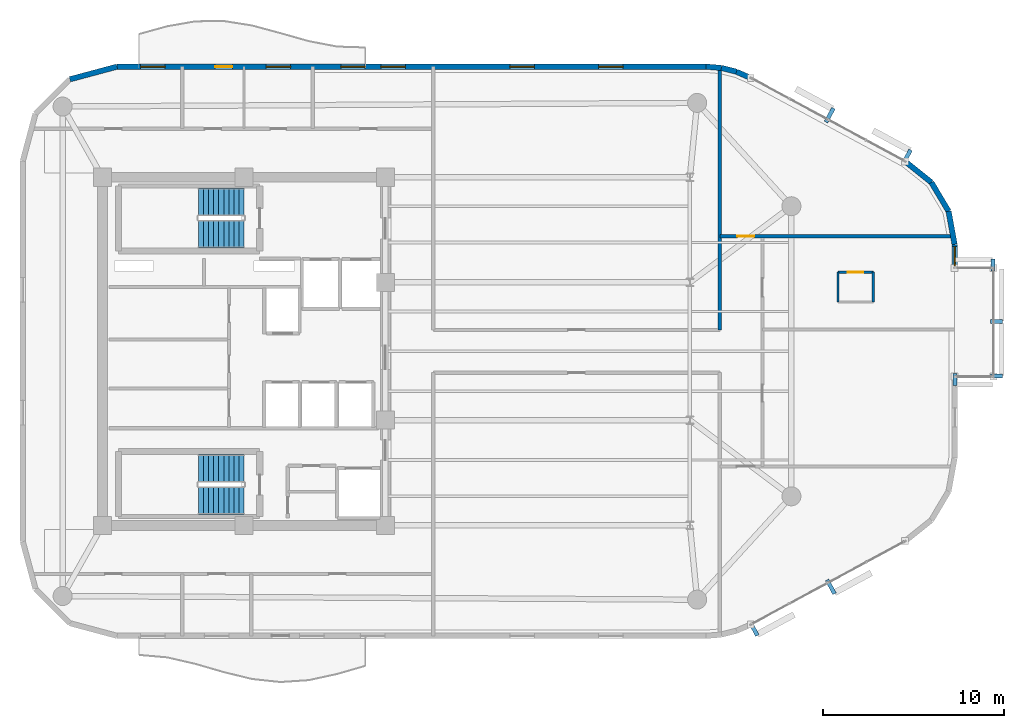
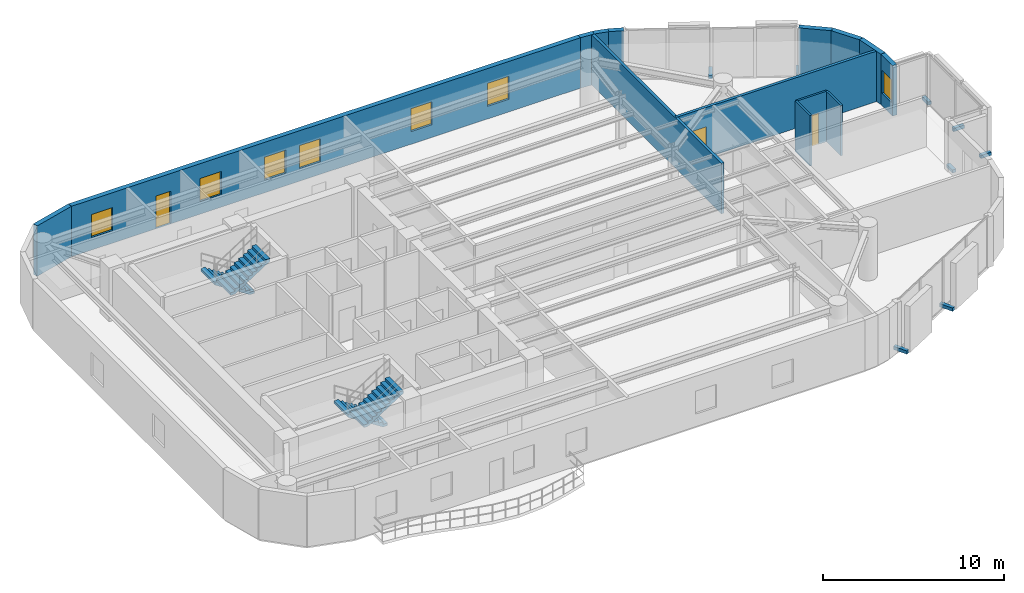
# One storey, part 12 of 14: 14 walls, 8 discrete accessories, 7 windows, 4 stair flights, 3 doors, 10 openings, 2 elements without a shape of their own.
"""IFC4 building model written with IfcOpenShell, lengths in metres."""

from ifc_helpers import new_model, si_unit, direction, frame, frame_2d, origin, origin_2d, place, context, subcontext, project, spatial, polyline, rectangle, outline, extrude, material, layer, layer_set, type_object, element, fill, aggregate, save


model = new_model("IFC4")

# Units and contexts
model_context = context("Model", 3, precision=1e-05, world=origin(), true_north=direction((0.0, 1.0)))
body_context = subcontext(model_context, "Body", "Model", "MODEL_VIEW")
ifc_project = project(units=[si_unit("LENGTHUNIT", "METRE"), si_unit("AREAUNIT", "SQUARE_METRE"), si_unit("VOLUMEUNIT", "CUBIC_METRE"), si_unit("PLANEANGLEUNIT", "RADIAN"), si_unit("MASSUNIT", "GRAM", prefix="KILO")], contexts=[model_context])

# Site, building, storey
site_placement = place(None, origin())
site = spatial("IfcSite", under=ifc_project, at=site_placement, CompositionType="ELEMENT")
building_placement = place(site_placement, origin())
building = spatial("IfcBuilding", under=site, at=building_placement, Name="An Khanh Terracotta Commons", CompositionType="ELEMENT")
storey_placement = place(building_placement, frame((0.0, 0.0, 230.10009765625)))
storey = spatial("IfcBuildingStorey", under=building, at=storey_placement, Name="L60", CompositionType="ELEMENT", Elevation=230.10009765625)

# Wall, opening, door
ifc_material_1 = material(Name="Fire-Rated Gypsum Board on Steel Stud", Category="steel")
ifc_layer_1 = layer(ifc_material_1, 0.179931640625, Name="Fire-Rated Gypsum Board on Steel Stud")
ifc_layer_set_1 = layer_set([ifc_layer_1], Name="Fire-Rated Gypsum Board on Steel Stud")
wall_type_1 = type_object("IfcWallType", Name="WALL-CORR-180", PredefinedType="PARTITIONING", material=ifc_layer_set_1)
wall_1_placement = place(storey_placement, frame((55.64990234375, 30.35009765625, 0.0), z_axis=(0.0, 0.0, 1.0), x_axis=(1.0, 0.0, 0.0)))
wall_1 = element("IfcWall", 1, at=wall_1_placement, inside=storey, type_object=wall_type_1, Name="L60 Interior Partition IW-L60-E006", PredefinedType="PARTITIONING", context=body_context, shape_type="SweptSolid", body=[
    extrude(rectangle(XDim=12.8681640625, YDim=0.179931640625, at=frame_2d((6.43408203125, 0.0))), origin(), (0.0, 0.0, 1.0), 3.39990234375),
])
opening_1_placement = place(wall_1_placement, frame((0.97509765625, 0.0, 0.0)))
opening_1 = element("IfcOpeningElement", 2, at=opening_1_placement, cuts=wall_1, Name="Opening D-RM", PredefinedType="OPENING", context=body_context, shape_type="SweptSolid", body=[
    extrude(rectangle(XDim=0.919921875, YDim=2.10009765625, at=frame_2d((0.4599609375, 1.050048828125))), frame((0.0, 0.099853515625, 0.0), z_axis=(0.0, -1.0, 0.0), x_axis=(1.0, 0.0, 0.0)), (0.0, 0.0, 1.0), 0.199951171875),
])
ifc_material_2 = material(Name="Engineered Hardwood Timber Leaf", Category="wood")
door_type_1 = type_object("IfcDoorType", Name="DOOR-INT-920", OperationType="NOTDEFINED", PredefinedType="DOOR", material=ifc_material_2)
door_1_placement = place(opening_1_placement, origin())
door_1 = element("IfcDoor", 3, at=door_1_placement, inside=storey, type_object=door_type_1, Name="L60 CAPN Music Practice Hall Door", OperationType="SINGLE_SWING_LEFT", OverallHeight=2.10009765625, OverallWidth=0.919921875, PredefinedType="DOOR", context=body_context, shape_type="SweptSolid", body=[
    extrude(rectangle(XDim=0.919921875, YDim=2.10009765625, at=frame_2d((0.4599609375, 1.050048828125))), frame((0.0, 0.02490234375, 0.0), z_axis=(0.0, -1.0, 0.0), x_axis=(1.0, 0.0, 0.0)), (0.0, 0.0, 1.0), 0.050048828125),
])
fill(opening_1, door_1)

# Wall
wall_2_placement = place(storey_placement, frame((55.64990234375, 25.179931640625, 0.0), z_axis=(0.0, 0.0, 1.0), x_axis=(0.0, 1.0, 0.0)))
element("IfcWall", 4, at=wall_2_placement, inside=storey, type_object=wall_type_1, Name="L60 Interior Partition IW-L60-E016", PredefinedType="PARTITIONING", context=body_context, shape_type="SweptSolid", body=[
    extrude(rectangle(XDim=14.4560546875, YDim=0.179931640625, at=frame_2d((7.22802734375, 0.0))), origin(), (0.0, 0.0, 1.0), 3.39990234375),
])

# Wall, opening, window
ifc_material_3 = material(Name="Precast concrete C40/50", Category="concrete")
ifc_layer_2 = layer(ifc_material_3, 0.300048828125, Name="Precast concrete C40/50")
ifc_layer_set_2 = layer_set([ifc_layer_2], Name="Precast concrete C40/50")
wall_type_2 = type_object("IfcWallType", Name="WALL-EXT-300", PredefinedType="SOLIDWALL", material=ifc_layer_set_2)
wall_3_placement = place(storey_placement, frame((68.60009765625, 28.60009765625, 0.0), z_axis=(0.0, 0.0, 1.0), x_axis=(0.0, 1.0, 0.0)))
wall_3 = element("IfcWall", 5, at=wall_3_placement, inside=storey, type_object=wall_type_2, Name="L60 East Nose Wall North", PredefinedType="SOLIDWALL", context=body_context, shape_type="SweptSolid", body=[
    extrude(rectangle(XDim=1.298828125, YDim=0.300048828125, at=frame_2d((0.6494140625, 0.0))), origin(), (0.0, 0.0, 1.0), 3.39990234375),
])
opening_2_placement = place(wall_3_placement, frame((0.1240234375, 0.0, 0.85009765625)))
opening_2 = element("IfcOpeningElement", 6, at=opening_2_placement, cuts=wall_3, Name="Opening W-06", PredefinedType="OPENING", context=body_context, shape_type="SweptSolid", body=[
    extrude(rectangle(XDim=1.050048828125, YDim=1.550048828125, at=frame_2d((0.52490234375, 0.77490234375))), frame((0.0, 0.159912109375, 0.0), z_axis=(0.0, -1.0, 0.0), x_axis=(1.0, 0.0, 0.0)), (0.0, 0.0, 1.0), 0.320068359375),
])
ifc_material_4 = material(Name="Thermally Broken Aluminium and Low-E Glass", Category="aluminium")
window_type_1 = type_object("IfcWindowType", Name="WIN-COR-1050x1550", PartitioningType="SINGLE_PANEL", PredefinedType="WINDOW", material=ifc_material_4)
window_1_placement = place(opening_2_placement, origin())
window_1 = element("IfcWindow", 7, at=window_1_placement, inside=storey, type_object=window_type_1, Name="L60 East Nose North Casement Window", OverallHeight=1.550048828125, OverallWidth=1.050048828125, PartitioningType="SINGLE_PANEL", PredefinedType="WINDOW", context=body_context, shape_type="SweptSolid", body=[
    extrude(rectangle(XDim=1.050048828125, YDim=1.550048828125, at=frame_2d((0.52490234375, 0.77490234375))), frame((0.0, 0.030029296875, 0.0), z_axis=(0.0, -1.0, 0.0), x_axis=(1.0, 0.0, 0.0)), (0.0, 0.0, 1.0), 0.06005859375),
])
fill(opening_2, window_1)

# Walls
wall_4_placement = place(storey_placement, frame((68.60009765625, 29.89892578125, 0.0), z_axis=(0.0, 0.0, 1.0), x_axis=(-0.178468469252, 0.983945631365, 0.0)))
element("IfcWall", 8, at=wall_4_placement, inside=storey, type_object=wall_type_2, Name="L60 Insulated Terracotta Exterior Wall 13", PredefinedType="SOLIDWALL", context=body_context, shape_type="SweptSolid", body=[
    extrude(rectangle(XDim=1.85498046875, YDim=0.300048828125, at=frame_2d((0.927490234375, 0.0))), origin(), (0.0, 0.0, 1.0), 3.39990234375),
])
wall_5_placement = place(storey_placement, frame((68.26904296875, 31.72412109375, 0.0), z_axis=(0.0, 0.0, 1.0), x_axis=(-0.512072018927, 0.858942516955, 0.0)))
element("IfcWall", 9, at=wall_5_placement, inside=storey, type_object=wall_type_2, Name="L60 Insulated Terracotta Exterior Wall 14", PredefinedType="SOLIDWALL", context=body_context, shape_type="SweptSolid", body=[
    extrude(rectangle(XDim=1.853271484375, YDim=0.300048828125, at=frame_2d((0.9267578125, 0.0))), origin(), (0.0, 0.0, 1.0), 3.39990234375),
])
wall_6_placement = place(storey_placement, frame((67.320068359375, 33.31591796875, 0.0), z_axis=(0.0, 0.0, 1.0), x_axis=(-0.780920189257, 0.624630817372, 0.0)))
element("IfcWall", 10, at=wall_6_placement, inside=storey, type_object=wall_type_2, Name="L60 Insulated Terracotta Exterior Wall 15", PredefinedType="SOLIDWALL", context=body_context, shape_type="SweptSolid", body=[
    extrude(rectangle(XDim=1.854248046875, YDim=0.300048828125, at=frame_2d((0.92724609375, 0.0))), origin(), (0.0, 0.0, 1.0), 3.39990234375),
])
wall_7_placement = place(storey_placement, frame((57.35693359375, 39.074951171875, 0.0), z_axis=(0.0, 0.0, 1.0), x_axis=(-0.916085473636, 0.400983048261, 0.0)))
element("IfcWall", 11, at=wall_7_placement, inside=storey, type_object=wall_type_2, Name="L60 Insulated Terracotta Exterior Wall 17", PredefinedType="SOLIDWALL", context=body_context, shape_type="SweptSolid", body=[
    extrude(rectangle(XDim=0.85791015625, YDim=0.300048828125, at=frame_2d((0.428955078125, 0.0))), origin(), (0.0, 0.0, 1.0), 3.39990234375),
])
wall_8_placement = place(storey_placement, frame((56.571044921875, 39.4189453125, 0.0), z_axis=(0.0, 0.0, 1.0), x_axis=(-0.969536346338, 0.244947490555, 0.0)))
element("IfcWall", 12, at=wall_8_placement, inside=storey, type_object=wall_type_2, Name="L60 Insulated Terracotta Exterior Wall 18", PredefinedType="SOLIDWALL", context=body_context, shape_type="SweptSolid", body=[
    extrude(rectangle(XDim=0.857177734375, YDim=0.300048828125, at=frame_2d((0.4287109375, 0.0))), origin(), (0.0, 0.0, 1.0), 3.39990234375),
])
wall_9_placement = place(storey_placement, frame((55.739990234375, 39.62890625, 0.0), z_axis=(0.0, 0.0, 1.0), x_axis=(-0.996565355958, 0.082809971041, 0.0)))
element("IfcWall", 13, at=wall_9_placement, inside=storey, type_object=wall_type_2, Name="L60 Insulated Terracotta Exterior Wall 19", PredefinedType="SOLIDWALL", context=body_context, shape_type="SweptSolid", body=[
    extrude(rectangle(XDim=0.85791015625, YDim=0.300048828125, at=frame_2d((0.428955078125, 0.0))), origin(), (0.0, 0.0, 1.0), 3.39990234375),
])

# Wall, openings, door, windows
wall_10_placement = place(storey_placement, frame((54.885009765625, 39.699951171875, 0.0), z_axis=(0.0, 0.0, 1.0), x_axis=(-1.0, 0.0, 0.0)))
wall_10 = element("IfcWall", 14, at=wall_10_placement, inside=storey, type_object=wall_type_2, Name="L60 Insulated Terracotta Exterior Wall 20", PredefinedType="SOLIDWALL", context=body_context, shape_type="SweptSolid", body=[
    extrude(rectangle(XDim=32.485107421875, YDim=0.300048828125, at=frame_2d((16.24267578125, 0.0))), origin(), (0.0, 0.0, 1.0), 3.39990234375),
])
opening_3_placement = place(wall_10_placement, frame((26.1220703125, 0.0, 0.0)))
opening_3 = element("IfcOpeningElement", 15, at=opening_3_placement, cuts=wall_10, Name="Opening D-BAL", PredefinedType="OPENING", context=body_context, shape_type="SweptSolid", body=[
    extrude(rectangle(XDim=0.949951171875, YDim=2.199951171875, at=frame_2d((0.47509765625, 1.10009765625))), frame((0.0, 0.159912109375, 0.0), z_axis=(0.0, -1.0, 0.0), x_axis=(1.0, 0.0, 0.0)), (0.0, 0.0, 1.0), 0.320068359375),
])
opening_4_placement = place(wall_10_placement, frame((4.570068359375, 0.0, 0.85009765625)))
opening_4 = element("IfcOpeningElement", 16, at=opening_4_placement, cuts=wall_10, Name="Opening W-04", PredefinedType="OPENING", context=body_context, shape_type="SweptSolid", body=[
    extrude(rectangle(XDim=1.35009765625, YDim=1.550048828125, at=frame_2d((0.675048828125, 0.77490234375))), frame((0.0, 0.159912109375, 0.0), z_axis=(0.0, -1.0, 0.0), x_axis=(1.0, 0.0, 0.0)), (0.0, 0.0, 1.0), 0.320068359375),
])
opening_5_placement = place(wall_10_placement, frame((9.465087890625, 0.0, 0.85009765625)))
opening_5 = element("IfcOpeningElement", 17, at=opening_5_placement, cuts=wall_10, Name="Opening W-04", PredefinedType="OPENING", context=body_context, shape_type="SweptSolid", body=[
    extrude(rectangle(XDim=1.35009765625, YDim=1.550048828125, at=frame_2d((0.675048828125, 0.77490234375))), frame((0.0, 0.159912109375, 0.0), z_axis=(0.0, -1.0, 0.0), x_axis=(1.0, 0.0, 0.0)), (0.0, 0.0, 1.0), 0.320068359375),
])
opening_6_placement = place(wall_10_placement, frame((16.576904296875, 0.0, 0.85009765625)))
opening_6 = element("IfcOpeningElement", 18, at=opening_6_placement, cuts=wall_10, Name="Opening W-04", PredefinedType="OPENING", context=body_context, shape_type="SweptSolid", body=[
    extrude(rectangle(XDim=1.35009765625, YDim=1.550048828125, at=frame_2d((0.675048828125, 0.77490234375))), frame((0.0, 0.159912109375, 0.0), z_axis=(0.0, -1.0, 0.0), x_axis=(1.0, 0.0, 0.0)), (0.0, 0.0, 1.0), 0.320068359375),
])
opening_7_placement = place(wall_10_placement, frame((18.79296875, 0.0, 0.85009765625)))
opening_7 = element("IfcOpeningElement", 19, at=opening_7_placement, cuts=wall_10, Name="Opening W-04", PredefinedType="OPENING", context=body_context, shape_type="SweptSolid", body=[
    extrude(rectangle(XDim=1.35009765625, YDim=1.550048828125, at=frame_2d((0.675048828125, 0.77490234375))), frame((0.0, 0.159912109375, 0.0), z_axis=(0.0, -1.0, 0.0), x_axis=(1.0, 0.0, 0.0)), (0.0, 0.0, 1.0), 0.320068359375),
])
opening_8_placement = place(wall_10_placement, frame((22.909912109375, 0.0, 0.85009765625)))
opening_8 = element("IfcOpeningElement", 20, at=opening_8_placement, cuts=wall_10, Name="Opening W-04", PredefinedType="OPENING", context=body_context, shape_type="SweptSolid", body=[
    extrude(rectangle(XDim=1.35009765625, YDim=1.550048828125, at=frame_2d((0.675048828125, 0.77490234375))), frame((0.0, 0.159912109375, 0.0), z_axis=(0.0, -1.0, 0.0), x_axis=(1.0, 0.0, 0.0)), (0.0, 0.0, 1.0), 0.320068359375),
])
opening_9_placement = place(wall_10_placement, frame((29.8349609375, 0.0, 0.85009765625)))
opening_9 = element("IfcOpeningElement", 21, at=opening_9_placement, cuts=wall_10, Name="Opening W-04", PredefinedType="OPENING", context=body_context, shape_type="SweptSolid", body=[
    extrude(rectangle(XDim=1.35009765625, YDim=1.550048828125, at=frame_2d((0.675048828125, 0.77490234375))), frame((0.0, 0.159912109375, 0.0), z_axis=(0.0, -1.0, 0.0), x_axis=(1.0, 0.0, 0.0)), (0.0, 0.0, 1.0), 0.320068359375),
])
door_type_2 = type_object("IfcDoorType", Name="DOOR-BALC-950", OperationType="NOTDEFINED", PredefinedType="DOOR", material=ifc_material_4)
door_2_placement = place(opening_3_placement, origin())
door_2 = element("IfcDoor", 22, at=door_2_placement, inside=storey, type_object=door_type_2, Name="L60 N Wave Balcony Glazed Door", OperationType="SINGLE_SWING_RIGHT", OverallHeight=2.199951171875, OverallWidth=0.949951171875, PredefinedType="DOOR", context=body_context, shape_type="SweptSolid", body=[
    extrude(rectangle(XDim=0.949951171875, YDim=2.199951171875, at=frame_2d((0.47509765625, 1.10009765625))), frame((0.0, 0.02490234375, 0.0), z_axis=(0.0, -1.0, 0.0), x_axis=(1.0, 0.0, 0.0)), (0.0, 0.0, 1.0), 0.050048828125),
])
fill(opening_3, door_2)
window_type_2 = type_object("IfcWindowType", Name="WIN-Z4-1350x1550", PartitioningType="SINGLE_PANEL", PredefinedType="WINDOW", material=ifc_material_4)
window_2_placement = place(opening_4_placement, origin())
window_2 = element("IfcWindow", 23, at=window_2_placement, inside=storey, type_object=window_type_2, Name="L60 Operable Casement Window 20.1", OverallHeight=1.550048828125, OverallWidth=1.35009765625, PartitioningType="SINGLE_PANEL", PredefinedType="WINDOW", context=body_context, shape_type="SweptSolid", body=[
    extrude(rectangle(XDim=1.35009765625, YDim=1.550048828125, at=frame_2d((0.675048828125, 0.77490234375))), frame((0.0, 0.030029296875, 0.0), z_axis=(0.0, -1.0, 0.0), x_axis=(1.0, 0.0, 0.0)), (0.0, 0.0, 1.0), 0.06005859375),
])
fill(opening_4, window_2)
window_3_placement = place(opening_5_placement, origin())
window_3 = element("IfcWindow", 24, at=window_3_placement, inside=storey, type_object=window_type_2, Name="L60 Operable Casement Window 20.2", OverallHeight=1.550048828125, OverallWidth=1.35009765625, PartitioningType="SINGLE_PANEL", PredefinedType="WINDOW", context=body_context, shape_type="SweptSolid", body=[
    extrude(rectangle(XDim=1.35009765625, YDim=1.550048828125, at=frame_2d((0.675048828125, 0.77490234375))), frame((0.0, 0.030029296875, 0.0), z_axis=(0.0, -1.0, 0.0), x_axis=(1.0, 0.0, 0.0)), (0.0, 0.0, 1.0), 0.06005859375),
])
fill(opening_5, window_3)
window_4_placement = place(opening_6_placement, origin())
window_4 = element("IfcWindow", 25, at=window_4_placement, inside=storey, type_object=window_type_2, Name="L60 Operable Casement Window 20.3", OverallHeight=1.550048828125, OverallWidth=1.35009765625, PartitioningType="SINGLE_PANEL", PredefinedType="WINDOW", context=body_context, shape_type="SweptSolid", body=[
    extrude(rectangle(XDim=1.35009765625, YDim=1.550048828125, at=frame_2d((0.675048828125, 0.77490234375))), frame((0.0, 0.030029296875, 0.0), z_axis=(0.0, -1.0, 0.0), x_axis=(1.0, 0.0, 0.0)), (0.0, 0.0, 1.0), 0.06005859375),
])
fill(opening_6, window_4)
window_5_placement = place(opening_7_placement, origin())
window_5 = element("IfcWindow", 26, at=window_5_placement, inside=storey, type_object=window_type_2, Name="L60 Operable Casement Window 20.4", OverallHeight=1.550048828125, OverallWidth=1.35009765625, PartitioningType="SINGLE_PANEL", PredefinedType="WINDOW", context=body_context, shape_type="SweptSolid", body=[
    extrude(rectangle(XDim=1.35009765625, YDim=1.550048828125, at=frame_2d((0.675048828125, 0.77490234375))), frame((0.0, 0.030029296875, 0.0), z_axis=(0.0, -1.0, 0.0), x_axis=(1.0, 0.0, 0.0)), (0.0, 0.0, 1.0), 0.06005859375),
])
fill(opening_7, window_5)
window_6_placement = place(opening_8_placement, origin())
window_6 = element("IfcWindow", 27, at=window_6_placement, inside=storey, type_object=window_type_2, Name="L60 Operable Casement Window 20.5", OverallHeight=1.550048828125, OverallWidth=1.35009765625, PartitioningType="SINGLE_PANEL", PredefinedType="WINDOW", context=body_context, shape_type="SweptSolid", body=[
    extrude(rectangle(XDim=1.35009765625, YDim=1.550048828125, at=frame_2d((0.675048828125, 0.77490234375))), frame((0.0, 0.030029296875, 0.0), z_axis=(0.0, -1.0, 0.0), x_axis=(1.0, 0.0, 0.0)), (0.0, 0.0, 1.0), 0.06005859375),
])
fill(opening_8, window_6)
window_7_placement = place(opening_9_placement, origin())
window_7 = element("IfcWindow", 28, at=window_7_placement, inside=storey, type_object=window_type_2, Name="L60 Operable Casement Window 20.6", OverallHeight=1.550048828125, OverallWidth=1.35009765625, PartitioningType="SINGLE_PANEL", PredefinedType="WINDOW", context=body_context, shape_type="SweptSolid", body=[
    extrude(rectangle(XDim=1.35009765625, YDim=1.550048828125, at=frame_2d((0.675048828125, 0.77490234375))), frame((0.0, 0.030029296875, 0.0), z_axis=(0.0, -1.0, 0.0), x_axis=(1.0, 0.0, 0.0)), (0.0, 0.0, 1.0), 0.06005859375),
])
fill(opening_9, window_7)

# Wall
wall_11_placement = place(storey_placement, frame((22.39990234375, 39.699951171875, 0.0), z_axis=(0.0, 0.0, 1.0), x_axis=(-0.965889330541, -0.258955210695, 0.0)))
element("IfcWall", 29, at=wall_11_placement, inside=storey, type_object=wall_type_2, Name="L60 Insulated Terracotta Exterior Wall 21", PredefinedType="SOLIDWALL", context=body_context, shape_type="SweptSolid", body=[
    extrude(rectangle(XDim=2.691650390625, YDim=0.300048828125, at=frame_2d((1.345703125, 0.0))), origin(), (0.0, 0.0, 1.0), 3.39990234375),
])

# Wall, opening, door
ifc_material_5 = material(Name="Moisture-Resistant Cement Board Partition")
ifc_layer_3 = layer(ifc_material_5, 0.1201171875, Name="Moisture-Resistant Cement Board Partition")
ifc_layer_set_3 = layer_set([ifc_layer_3], Name="Moisture-Resistant Cement Board Partition")
wall_type_3 = type_object("IfcWallType", Name="WALL-WET-120", PredefinedType="PARTITIONING", material=ifc_layer_set_3)
wall_12_placement = place(storey_placement, frame((62.1650390625, 28.360107421875, 0.0), z_axis=(0.0, 0.0, 1.0), x_axis=(1.0, 0.0, 0.0)))
wall_12 = element("IfcWall", 30, at=wall_12_placement, inside=storey, type_object=wall_type_3, Name="L60 Interior Partition IW-L60-EF1-BN", PredefinedType="PARTITIONING", context=body_context, shape_type="SweptSolid", body=[
    extrude(rectangle(XDim=1.949951171875, YDim=0.1201171875, at=frame_2d((0.97509765625, 0.0))), origin(), (0.0, 0.0, 1.0), 3.39990234375),
])
opening_10_placement = place(wall_12_placement, frame((0.544921875, 0.0, 0.0)))
opening_10 = element("IfcOpeningElement", 31, at=opening_10_placement, cuts=wall_12, Name="Opening D-ENS", PredefinedType="OPENING", context=body_context, shape_type="SweptSolid", body=[
    extrude(rectangle(XDim=0.860107421875, YDim=2.10009765625, at=frame_2d((0.43017578125, 1.050048828125))), frame((0.0, 0.070068359375, 0.0), z_axis=(0.0, -1.0, 0.0), x_axis=(1.0, 0.0, 0.0)), (0.0, 0.0, 1.0), 0.14013671875),
])
ifc_material_6 = material(Name="Moisture-Resistant Hardwood Timber Leaf", Category="wood")
door_type_3 = type_object("IfcDoorType", Name="DOOR-BATH-860", OperationType="NOTDEFINED", PredefinedType="DOOR", material=ifc_material_6)
door_3_placement = place(opening_10_placement, origin())
door_3 = element("IfcDoor", 32, at=door_3_placement, inside=storey, type_object=door_type_3, Name="L60 Studio EF1 En-suite Door", OperationType="SINGLE_SWING_LEFT", OverallHeight=2.10009765625, OverallWidth=0.860107421875, PredefinedType="DOOR", context=body_context, shape_type="SweptSolid", body=[
    extrude(rectangle(XDim=0.860107421875, YDim=2.10009765625, at=frame_2d((0.43017578125, 1.050048828125))), frame((0.0, 0.02490234375, 0.0), z_axis=(0.0, -1.0, 0.0), x_axis=(1.0, 0.0, 0.0)), (0.0, 0.0, 1.0), 0.050048828125),
])
fill(opening_10, door_3)

# Walls
for number, where, z_axis, x_axis, name in (
    (33, (62.1650390625, 28.360107421875, 0.0), (0.0, 0.0, 1.0), (0.0, -1.0, 0.0), "L60 Interior Partition IW-L60-EF1-BW"),
    (34, (64.114990234375, 26.7099609375, 0.0), (0.0, 0.0, 1.0), (0.0, 1.0, 0.0), "L60 Interior Partition IW-L60-EF1-BE"),
):
    element("IfcWall", number, at=place(storey_placement, frame(where, z_axis=z_axis, x_axis=x_axis)), inside=storey, type_object=wall_type_3, Name=name, PredefinedType="PARTITIONING", context=body_context, shape_type="SweptSolid", body=[
        extrude(rectangle(XDim=1.650146484375, YDim=0.1201171875, at=frame_2d((0.8251953125, 0.0))), origin(), (0.0, 0.0, 1.0), 3.39990234375),
    ])

# Stair, stair flights
stair_type = type_object("IfcStairType", Name="STAIR-CORE-1550", PredefinedType="HALF_TURN_STAIR", material=ifc_material_3)
stair_1_placement = place(storey_placement, origin())
stair_1 = element("IfcStair", 35, at=stair_1_placement, inside=storey, type_object=stair_type, Name="L60 Core Smokeproof Exit Stair ST-01", PredefinedType="HALF_TURN_STAIR")
stair_flight_type = type_object("IfcStairFlightType", Name="FLIGHT-CORE-1550", PredefinedType="STRAIGHT", material=ifc_material_3)
stair_flight_1_placement = place(storey_placement, frame((29.409912109375, 32.22509765625, 0.0), z_axis=(0.0, 0.0, 1.0), x_axis=(-1.0, 0.0, 0.0)))
stair_flight_1 = element("IfcStairFlight", 36, at=stair_flight_1_placement, type_object=stair_flight_type, Name="ST-01 flight 1", NumberOfRisers=10, NumberOfTreads=9, PredefinedType="STRAIGHT", RiserHeight=0.18, TreadLength=0.28, context=body_context, shape_type="SweptSolid", body=[
    extrude(outline(polyline([(0.0, 0.0), (0.0, 0.179931640625), (0.280029296875, 0.179931640625), (0.280029296875, 0.360107421875), (0.56005859375, 0.360107421875), (0.56005859375, 0.5400390625), (0.840087890625, 0.5400390625), (0.840087890625, 0.719970703125), (1.1201171875, 0.719970703125), (1.1201171875, 0.89990234375), (1.39990234375, 0.89990234375), (1.39990234375, 1.080078125), (1.679931640625, 1.080078125), (1.679931640625, 1.260009765625), (1.9599609375, 1.260009765625), (1.9599609375, 1.43994140625), (2.239990234375, 1.43994140625), (2.239990234375, 1.6201171875), (2.52001953125, 1.6201171875), (2.52001953125, 1.800048828125), (2.52001953125, 1.44189453125), (0.277099609375, 0.0), (0.0, 0.0)])), frame((0.0, 0.77490234375, 0.0), z_axis=(0.0, -1.0, 0.0), x_axis=(1.0, 0.0, 0.0)), (0.0, 0.0, 1.0), 1.550048828125),
])
stair_flight_2_placement = place(storey_placement, frame((26.889892578125, 30.47509765625, 1.7998046875), z_axis=(0.0, 0.0, 1.0), x_axis=(1.0, 0.0, 0.0)))
stair_flight_2 = element("IfcStairFlight", 37, at=stair_flight_2_placement, type_object=stair_flight_type, Name="ST-01 flight 2", NumberOfRisers=10, NumberOfTreads=9, PredefinedType="STRAIGHT", RiserHeight=0.18, TreadLength=0.28, context=body_context, shape_type="SweptSolid", body=[
    extrude(outline(polyline([(0.0, 0.0), (0.0, 0.179931640625), (0.280029296875, 0.179931640625), (0.280029296875, 0.360107421875), (0.56005859375, 0.360107421875), (0.56005859375, 0.5400390625), (0.840087890625, 0.5400390625), (0.840087890625, 0.719970703125), (1.1201171875, 0.719970703125), (1.1201171875, 0.89990234375), (1.39990234375, 0.89990234375), (1.39990234375, 1.080078125), (1.679931640625, 1.080078125), (1.679931640625, 1.260009765625), (1.9599609375, 1.260009765625), (1.9599609375, 1.43994140625), (2.239990234375, 1.43994140625), (2.239990234375, 1.6201171875), (2.52001953125, 1.6201171875), (2.52001953125, 1.800048828125), (2.52001953125, 1.44189453125), (0.277099609375, 0.0), (0.0, 0.0)])), frame((0.0, 0.77490234375, 0.0), z_axis=(0.0, -1.0, 0.0), x_axis=(1.0, 0.0, 0.0)), (0.0, 0.0, 1.0), 1.550048828125),
])
aggregate(stair_1, [stair_flight_1, stair_flight_2])

stair_2_placement = place(storey_placement, origin())
stair_2 = element("IfcStair", 38, at=stair_2_placement, inside=storey, type_object=stair_type, Name="L60 Core Smokeproof Exit Stair ST-02", PredefinedType="HALF_TURN_STAIR")
stair_flight_3_placement = place(storey_placement, frame((29.409912109375, 17.52490234375, 0.0), z_axis=(0.0, 0.0, 1.0), x_axis=(-1.0, 0.0, 0.0)))
stair_flight_3 = element("IfcStairFlight", 39, at=stair_flight_3_placement, type_object=stair_flight_type, Name="ST-02 flight 1", NumberOfRisers=10, NumberOfTreads=9, PredefinedType="STRAIGHT", RiserHeight=0.18, TreadLength=0.28, context=body_context, shape_type="SweptSolid", body=[
    extrude(outline(polyline([(0.0, 0.0), (0.0, 0.179931640625), (0.280029296875, 0.179931640625), (0.280029296875, 0.360107421875), (0.56005859375, 0.360107421875), (0.56005859375, 0.5400390625), (0.840087890625, 0.5400390625), (0.840087890625, 0.719970703125), (1.1201171875, 0.719970703125), (1.1201171875, 0.89990234375), (1.39990234375, 0.89990234375), (1.39990234375, 1.080078125), (1.679931640625, 1.080078125), (1.679931640625, 1.260009765625), (1.9599609375, 1.260009765625), (1.9599609375, 1.43994140625), (2.239990234375, 1.43994140625), (2.239990234375, 1.6201171875), (2.52001953125, 1.6201171875), (2.52001953125, 1.800048828125), (2.52001953125, 1.44189453125), (0.277099609375, 0.0), (0.0, 0.0)])), frame((0.0, 0.77490234375, 0.0), z_axis=(0.0, -1.0, 0.0), x_axis=(1.0, 0.0, 0.0)), (0.0, 0.0, 1.0), 1.550048828125),
])
stair_flight_4_placement = place(storey_placement, frame((26.889892578125, 15.77490234375, 1.7998046875), z_axis=(0.0, 0.0, 1.0), x_axis=(1.0, 0.0, 0.0)))
stair_flight_4 = element("IfcStairFlight", 40, at=stair_flight_4_placement, type_object=stair_flight_type, Name="ST-02 flight 2", NumberOfRisers=10, NumberOfTreads=9, PredefinedType="STRAIGHT", RiserHeight=0.18, TreadLength=0.28, context=body_context, shape_type="SweptSolid", body=[
    extrude(outline(polyline([(0.0, 0.0), (0.0, 0.179931640625), (0.280029296875, 0.179931640625), (0.280029296875, 0.360107421875), (0.56005859375, 0.360107421875), (0.56005859375, 0.5400390625), (0.840087890625, 0.5400390625), (0.840087890625, 0.719970703125), (1.1201171875, 0.719970703125), (1.1201171875, 0.89990234375), (1.39990234375, 0.89990234375), (1.39990234375, 1.080078125), (1.679931640625, 1.080078125), (1.679931640625, 1.260009765625), (1.9599609375, 1.260009765625), (1.9599609375, 1.43994140625), (2.239990234375, 1.43994140625), (2.239990234375, 1.6201171875), (2.52001953125, 1.6201171875), (2.52001953125, 1.800048828125), (2.52001953125, 1.44189453125), (0.277099609375, 0.0), (0.0, 0.0)])), frame((0.0, 0.77490234375, 0.0), z_axis=(0.0, -1.0, 0.0), x_axis=(1.0, 0.0, 0.0)), (0.0, 0.0, 1.0), 1.550048828125),
])
aggregate(stair_2, [stair_flight_3, stair_flight_4])

# Discrete accessories
ifc_material_7 = material(Name="Stainless Steel Grade 316L", Category="steel")
discrete_accessory_type = type_object("IfcDiscreteAccessoryType", Name="Stainless Outrigger Facade Bracket", PredefinedType="BRACKET", material=ifc_material_7)
for number, where, z_axis, x_axis, name in (
    (41, (57.513916015625, 8.7080078125, 0.06982421875), (0.0, 0.0, 1.0), (0.879780095306, 0.47538088298, 0.0), "L60 Terracotta Screen Outrigger Bracket 1"),
    (42, (61.77099609375, 11.009033203125, 0.06982421875), (0.0, 0.0, 1.0), (0.879780095306, 0.47538088298, 0.0), "L60 Terracotta Screen Outrigger Bracket 3"),
):
    element("IfcDiscreteAccessory", number, at=place(storey_placement, frame(where, z_axis=z_axis, x_axis=x_axis)), inside=storey, type_object=discrete_accessory_type, Name=name, PredefinedType="BRACKET", context=body_context, shape_type="SweptSolid", body=[
        extrude(rectangle(XDim=0.219970703125, YDim=0.8701171875, at=origin_2d()), origin(), (0.0, 0.0, 1.0), 0.219970703125),
    ])
for number, where, z_axis, x_axis, name in (
    (43, (70.9150390625, 22.633056640625, 0.06982421875), (0.0, 0.0, 1.0), (0.0, 1.0, 0.0), "L60 Terracotta Screen Outrigger Bracket 1"),
    (44, (70.9150390625, 25.633056640625, 0.06982421875), (0.0, 0.0, 1.0), (0.0, 1.0, 0.0), "L60 Terracotta Screen Outrigger Bracket 2"),
    (45, (68.632080078125, 22.43505859375, 0.06982421875), (0.0, 0.0, 1.0), (1.0, 0.0, 0.0), "L60 Terracotta Screen Outrigger Bracket 1"),
    (46, (70.718017578125, 28.764892578125, 0.06982421875), (0.0, 0.0, 1.0), (-1.0, 0.0, 0.0), "L60 Terracotta Screen Outrigger Bracket 1"),
):
    element("IfcDiscreteAccessory", number, at=place(storey_placement, frame(where, z_axis=z_axis, x_axis=x_axis)), inside=storey, type_object=discrete_accessory_type, Name=name, PredefinedType="BRACKET", context=body_context, shape_type="SweptSolid", body=[
        extrude(rectangle(XDim=0.219970703125, YDim=0.669921875, at=origin_2d()), origin(), (0.0, 0.0, 1.0), 0.219970703125),
    ])
for number, where, z_axis, x_axis, name in (
    (47, (65.967041015625, 34.72412109375, 0.06982421875), (0.0, 0.0, 1.0), (-0.879780095306, 0.47538088298, 0.0), "L60 Terracotta Screen Outrigger Bracket 1"),
    (48, (61.7099609375, 37.02392578125, 0.06982421875), (0.0, 0.0, 1.0), (-0.879780095306, 0.47538088298, 0.0), "L60 Terracotta Screen Outrigger Bracket 3"),
):
    element("IfcDiscreteAccessory", number, at=place(storey_placement, frame(where, z_axis=z_axis, x_axis=x_axis)), inside=storey, type_object=discrete_accessory_type, Name=name, PredefinedType="BRACKET", context=body_context, shape_type="SweptSolid", body=[
        extrude(rectangle(XDim=0.219970703125, YDim=0.8701171875, at=origin_2d()), origin(), (0.0, 0.0, 1.0), 0.219970703125),
    ])

save(model, "model.ifc")
